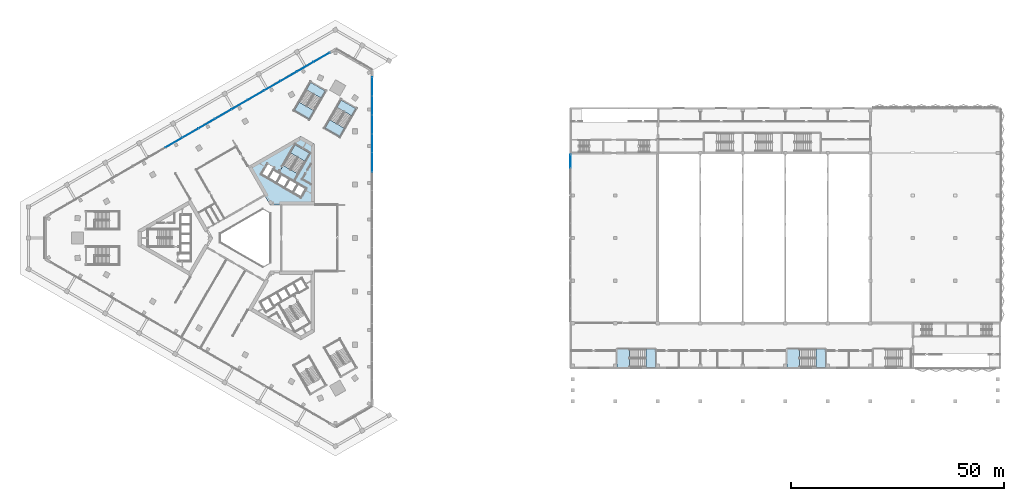
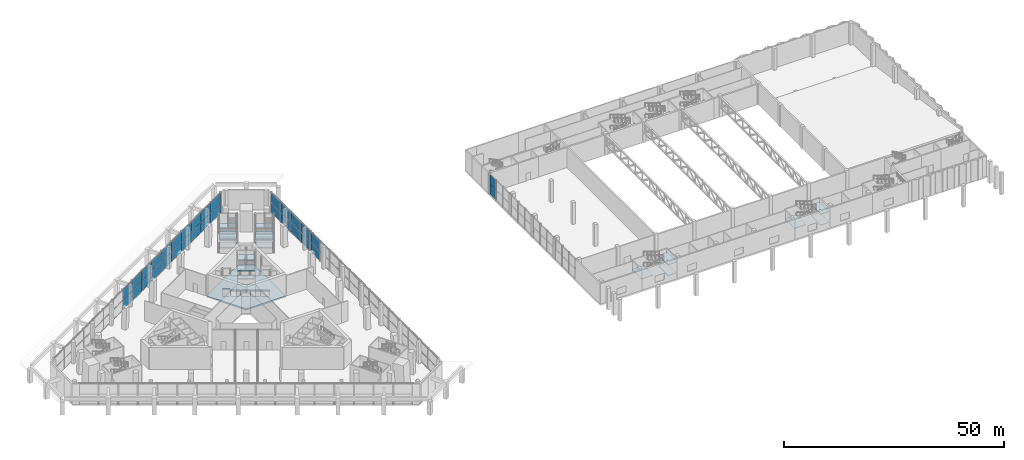
# One storey, part 24 of 51: 32 plates, 18 slabs, 8 elements without a shape of their own.
"""IFC4 building model written with IfcOpenShell, lengths in metres."""

import ifcopenshell
import ifcopenshell.guid

model = None  # the IFC model being written
_history = None  # IfcOwnerHistory: only IFC2X3 demands one
_inside = {}  # id of a spatial element -> (the spatial element, [elements in it])
_under = {}  # id of a project, library or spatial element -> (it, [spatial elements below it])
_declared = {}  # id of a project -> (the project, [libraries it declares])
_typed = {}  # id of a type object -> (the type object, [elements of that type])
_made_of = {}  # id of a material, layer set ... -> (it, [elements and type objects made of it])


def new_model(schema):
    """Start an empty IFC model of exactly this schema.

    Asked for "IFC4X3", IfcOpenShell would pick the latest addendum, in which some entities
    have other attributes; the version numbers below select the first issue.
    IFC2X3 requires an IfcOwnerHistory on every rooted entity: one is made here for all.
    """
    global model, _history
    if schema == "IFC4X3":
        model = ifcopenshell.file(schema_version=(4, 3, 0, 0))
    else:
        model = ifcopenshell.file(schema=schema)
    _inside.clear()
    _under.clear()
    _declared.clear()
    _typed.clear()
    _made_of.clear()
    _history = None
    if model.schema == "IFC2X3":
        org = make("IfcOrganization", Name="unknown")
        user = make(
            "IfcPersonAndOrganization",
            ThePerson=make("IfcPerson", FamilyName="unknown"),
            TheOrganization=org,
        )
        app = make(
            "IfcApplication",
            ApplicationDeveloper=org,
            Version="unknown",
            ApplicationFullName="unknown",
            ApplicationIdentifier="unknown",
        )
        _history = make(
            "IfcOwnerHistory",
            OwningUser=user,
            OwningApplication=app,
            ChangeAction="ADDED",
            CreationDate=0,
        )
    return model


def make(cls, **values):
    """One entity of the class cls with the attributes given. An attribute that is None is left unset."""
    return model.create_entity(
        cls, **{name: value for name, value in values.items() if value is not None}
    )


def rooted(cls, **values):
    """An entity with a GlobalId (a new one), such as an element, a storey or a relation."""
    return make(cls, GlobalId=ifcopenshell.guid.new(), OwnerHistory=_history, **values)


def si_unit(unit_type, name, prefix=None):
    """IfcSIUnit, for example si_unit("LENGTHUNIT", "METRE", prefix="MILLI")."""
    return make("IfcSIUnit", UnitType=unit_type, Prefix=prefix, Name=name)


def assignment(units):
    """IfcUnitAssignment: the units of a project."""
    return None if units is None else make("IfcUnitAssignment", Units=units)


def point(xyz):
    """IfcCartesianPoint."""
    return None if xyz is None else make("IfcCartesianPoint", Coordinates=xyz)


def direction(xyz):
    """IfcDirection."""
    return None if xyz is None else make("IfcDirection", DirectionRatios=xyz)


def frame(location, z_axis=None, x_axis=None):
    """IfcAxis2Placement3D, a coordinate frame: its origin and axes. An axis left out is left unset."""
    return make(
        "IfcAxis2Placement3D",
        Location=point(location),
        Axis=direction(z_axis),
        RefDirection=direction(x_axis),
    )


def frame_2d(location, x_axis=None):
    """IfcAxis2Placement2D, a coordinate frame in the plane: its origin and x axis."""
    return make(
        "IfcAxis2Placement2D", Location=point(location), RefDirection=direction(x_axis)
    )


def origin():
    """The frame at (0, 0, 0) with its axes left unset."""
    return frame((0.0, 0.0, 0.0))


def origin_2d():
    """The frame at (0, 0) in the plane with its x axis left unset."""
    return frame_2d((0.0, 0.0))


def place(relative_to, where):
    """IfcLocalPlacement: puts the frame where relative to a parent placement (None: the world)."""
    return make(
        "IfcLocalPlacement", PlacementRelTo=relative_to, RelativePlacement=where
    )


def context(
    kind, dimensions, precision=None, world=None, true_north=None, identifier=None
):
    """IfcGeometricRepresentationContext, for example the 3D "Model" context."""
    return make(
        "IfcGeometricRepresentationContext",
        ContextIdentifier=identifier,
        ContextType=kind,
        CoordinateSpaceDimension=dimensions,
        Precision=precision,
        WorldCoordinateSystem=world,
        TrueNorth=true_north,
    )


def subcontext(parent, identifier, kind, view, scale=None):
    """IfcGeometricRepresentationSubContext, for example "Body" below "Model"."""
    return make(
        "IfcGeometricRepresentationSubContext",
        ContextIdentifier=identifier,
        ContextType=kind,
        ParentContext=parent,
        TargetScale=scale,
        TargetView=view,
    )


def project(units=None, contexts=None):
    """IfcProject with its units and contexts."""
    return rooted(
        "IfcProject",
        Name="project",
        RepresentationContexts=contexts,
        UnitsInContext=assignment(units),
    )


def spatial(cls, under=None, at=None, **own):
    """A site, building, storey or space (cls), placed at a placement, below another one or the project."""
    s = rooted(cls, ObjectPlacement=at, **own)
    if under is not None:
        _under.setdefault(under.id(), (under, []))[1].append(s)
    return s


def polyline(points):
    """IfcPolyline through the points."""
    return make("IfcPolyline", Points=[point(p) for p in points])


def profile(cls, at=None, kind="AREA", **sizes):
    """A parametric profile (cls). Its sizes go by their IFC names, for example OverallWidth=200.0."""
    return make(cls, ProfileType=kind, Position=at, **sizes)


def rectangle(**sizes):
    """IfcRectangleProfileDef."""
    return profile("IfcRectangleProfileDef", **sizes)


def outline(outer, holes=None, kind="AREA"):
    """IfcArbitraryClosedProfileDef: a profile drawn as a closed curve; with holes, ...WithVoids."""
    if holes is None:
        return make("IfcArbitraryClosedProfileDef", ProfileType=kind, OuterCurve=outer)
    return make(
        "IfcArbitraryProfileDefWithVoids",
        ProfileType=kind,
        OuterCurve=outer,
        InnerCurves=holes,
    )


def extrude(swept, where, along, depth):
    """IfcExtrudedAreaSolid: the profile swept, set in the frame where, extruded along a direction by depth."""
    return make(
        "IfcExtrudedAreaSolid",
        SweptArea=swept,
        Position=where,
        ExtrudedDirection=direction(along),
        Depth=depth,
    )


def shape(context_of_items, identifier, shape_type, items):
    """IfcShapeRepresentation: the items that make up one representation, for example the "Body"."""
    return make(
        "IfcShapeRepresentation",
        ContextOfItems=context_of_items,
        RepresentationIdentifier=identifier,
        RepresentationType=shape_type,
        Items=items,
    )


def material(Name=None, Category=None):
    """IfcMaterial."""
    return make("IfcMaterial", Name=Name, Category=Category)


def layer(
    of_material, thickness, ventilated=None, Name=None, Category=None, Priority=None
):
    """IfcMaterialLayer: one layer of a wall or slab, of a material (None: an air gap)."""
    return make(
        "IfcMaterialLayer",
        Material=of_material,
        LayerThickness=thickness,
        IsVentilated=ventilated,
        Name=Name,
        Category=Category,
        Priority=Priority,
    )


def layer_set(layers, Name=None):
    """IfcMaterialLayerSet."""
    return make("IfcMaterialLayerSet", MaterialLayers=layers, LayerSetName=Name)


def made_of(thing, what):
    """Note that an element or type object is made of a material, layer set ...; save() writes the relation."""
    if what is not None:
        _made_of.setdefault(what.id(), (what, []))[1].append(thing)
    return thing


def type_object(cls, material=None, **own):
    """A type object (cls), such as IfcWallType, which elements share."""
    return made_of(rooted(cls, **own), material)


def element(
    cls,
    number,
    at=None,
    inside=None,
    cuts=None,
    type_object=None,
    material=None,
    context=None,
    identifier="Body",
    shape_type=None,
    held_by="IfcProductDefinitionShape",
    body=None,
    shapes=None,
    **own,
):
    """One element of the class cls, such as IfcWall. Its Tag is "e" and its number.

    at: its placement. inside: the storey or other place that contains it. cuts: it is an
    opening in that element (IfcRelVoidsElement). A single representation is given by context,
    identifier, shape_type and body (its items); several are given by shapes. held_by: the class
    of the entity that holds the representations. save() writes the other relations.
    """
    e = rooted(cls, Tag="e%d" % number, ObjectPlacement=at, **own)
    if body is not None:
        shapes = [shape(context, identifier, shape_type, body)]
    if shapes is not None:
        e.Representation = make(held_by, Representations=shapes)
    if inside is not None:
        _inside.setdefault(inside.id(), (inside, []))[1].append(e)
    if cuts is not None:
        rooted(
            "IfcRelVoidsElement", RelatingBuildingElement=cuts, RelatedOpeningElement=e
        )
    if type_object is not None:
        _typed.setdefault(type_object.id(), (type_object, []))[1].append(e)
    return made_of(e, material)


def aggregate(whole, parts):
    """IfcRelAggregates: a whole, such as a stair, and the parts it consists of."""
    return rooted("IfcRelAggregates", RelatingObject=whole, RelatedObjects=parts)


def save(model, path):
    """Write the relations noted so far, then the file.

    IfcRelAggregates (storeys below a building ...), IfcRelContainedInSpatialStructure (elements
    in a storey), IfcRelDefinesByType, IfcRelAssociatesMaterial and IfcRelDeclares: one each for
    every whole, place, type object, material and project.
    """
    for whole, parts in _under.values():
        aggregate(whole, parts)
    for where, things in _inside.values():
        rooted(
            "IfcRelContainedInSpatialStructure",
            RelatedElements=things,
            RelatingStructure=where,
        )
    for kind, things in _typed.values():
        rooted("IfcRelDefinesByType", RelatedObjects=things, RelatingType=kind)
    for what, things in _made_of.values():
        rooted("IfcRelAssociatesMaterial", RelatedObjects=things, RelatingMaterial=what)
    for by, libraries in _declared.values():
        rooted("IfcRelDeclares", RelatingContext=by, RelatedDefinitions=libraries)
    model.write(path)


model = new_model("IFC4")

# Units and contexts
model_context = context("Model", 3, precision=1e-05, world=origin(), true_north=direction((0.0, 1.0)))
body_context = subcontext(model_context, "Body", "Model", "MODEL_VIEW")
ifc_project = project(units=[si_unit("LENGTHUNIT", "METRE"), si_unit("AREAUNIT", "SQUARE_METRE"), si_unit("VOLUMEUNIT", "CUBIC_METRE"), si_unit("PLANEANGLEUNIT", "RADIAN"), si_unit("MASSUNIT", "GRAM", prefix="KILO")], contexts=[model_context])

# Site, building, storey
site_placement = place(None, origin())
site = spatial("IfcSite", under=ifc_project, at=site_placement, CompositionType="ELEMENT")
building_placement = place(site_placement, origin())
building = spatial("IfcBuilding", under=site, at=building_placement, Name="Jabali Bay Hotel Tower and Convention Centre", CompositionType="ELEMENT")
storey_placement = place(building_placement, frame((0.0, 0.0, 9.0)))
storey = spatial("IfcBuildingStorey", under=building, at=storey_placement, Name="L01", CompositionType="ELEMENT", Elevation=9.0)

# Curtain wall, plates
ifc_material_1 = material(Name="Aluminium 6063-T5 and glass", Category="aluminium")
curtain_wall_type_1 = type_object("IfcCurtainWallType", Name="CC CW4 Unitised Curtain Wall", PredefinedType="NOTDEFINED", material=ifc_material_1)
curtain_wall_1_placement = place(storey_placement, origin())
curtain_wall_1 = element("IfcCurtainWall", 1, at=curtain_wall_1_placement, inside=storey, type_object=curtain_wall_type_1, Name="CC CW4 run 4", PredefinedType="NOTDEFINED")
ifc_material_2 = material(Name="Glass IGU 28", Category="glass")
ifc_layer_1 = layer(ifc_material_2, 0.028076171875)
ifc_layer_set_1 = layer_set([ifc_layer_1], Name="Glass IGU 28")
plate_type_1 = type_object("IfcPlateType", Name="CC Curtain Wall Glass Panel 28", PredefinedType="CURTAIN_PANEL", material=ifc_layer_set_1)
plate_1_placement = place(storey_placement, frame((150.14990234375, 98.0517578125, 0.119873046875), z_axis=(0.0, 0.0, 1.0), x_axis=(0.0, 1.0, 0.0)))
plate_1 = element("IfcPlate", 2, at=plate_1_placement, type_object=plate_type_1, Name="CC-CW4 panel 3.1", PredefinedType="CURTAIN_PANEL", context=body_context, shape_type="SweptSolid", body=[
    extrude(rectangle(XDim=2.9765625, YDim=0.028076171875, at=origin_2d()), origin(), (0.0, 0.0, 1.0), 2.6201171875),
])
plate_2_placement = place(storey_placement, frame((150.14990234375, 98.0517578125, 2.85986328125), z_axis=(0.0, 0.0, 1.0), x_axis=(0.0, 1.0, 0.0)))
plate_2 = element("IfcPlate", 3, at=plate_2_placement, type_object=plate_type_1, Name="CC-CW4 panel 3.2", PredefinedType="CURTAIN_PANEL", context=body_context, shape_type="SweptSolid", body=[
    extrude(rectangle(XDim=2.9765625, YDim=0.028076171875, at=origin_2d()), origin(), (0.0, 0.0, 1.0), 2.610107421875),
])
aggregate(curtain_wall_1, [plate_1, plate_2])

# Stair, slabs
ifc_material_3 = material(Name="Concrete C40", Category="concrete")
stair_type_1 = type_object("IfcStairType", Name="CC Dogleg Stair 1350", PredefinedType="HALF_TURN_STAIR", material=ifc_material_3)
stair_1_placement = place(storey_placement, origin())
stair_1 = element("IfcStair", 4, at=stair_1_placement, inside=storey, type_object=stair_type_1, Name="L01 South Exit Stair 1", PredefinedType="HALF_TURN_STAIR")
ifc_layer_2 = layer(ifc_material_3, 0.199951171875)
ifc_layer_set_2 = layer_set([ifc_layer_2], Name="Concrete C40")
slab_type_1 = type_object("IfcSlabType", Name="CC Stair Landing 200", PredefinedType="LANDING", material=ifc_layer_set_2)
slab_1_placement = place(storey_placement, frame((0.0, 0.0, 1.300048828125)))
slab_1 = element("IfcSlab", 5, at=slab_1_placement, type_object=slab_type_1, Name="CC-STS1 landing 1", PredefinedType="LANDING", context=body_context, shape_type="SweptSolid", body=[
    extrude(outline(polyline([(167.95703125, 49.550048828125), (170.14990234375, 49.550048828125), (170.14990234375, 53.949951171875), (167.95703125, 53.949951171875), (167.95703125, 49.550048828125)])), origin(), (0.0, 0.0, 1.0), 0.199951171875),
])
slab_2_placement = place(storey_placement, frame((0.0, 0.0, 2.800048828125)))
slab_2 = element("IfcSlab", 6, at=slab_2_placement, type_object=slab_type_1, Name="CC-STS1 landing 2", PredefinedType="LANDING", context=body_context, shape_type="SweptSolid", body=[
    extrude(outline(polyline([(161.050048828125, 49.550048828125), (164.0029296875, 49.550048828125), (164.0029296875, 53.949951171875), (161.050048828125, 53.949951171875), (161.050048828125, 49.550048828125)])), origin(), (0.0, 0.0, 1.0), 0.199951171875),
])
slab_3_placement = place(storey_placement, frame((0.0, 0.0, 4.300048828125)))
slab_3 = element("IfcSlab", 7, at=slab_3_placement, type_object=slab_type_1, Name="CC-STS1 landing 3", PredefinedType="LANDING", context=body_context, shape_type="SweptSolid", body=[
    extrude(outline(polyline([(167.95703125, 49.550048828125), (170.14990234375, 49.550048828125), (170.14990234375, 53.949951171875), (167.95703125, 53.949951171875), (167.95703125, 49.550048828125)])), origin(), (0.0, 0.0, 1.0), 0.199951171875),
])
aggregate(stair_1, [slab_1, slab_2, slab_3])

stair_2_placement = place(storey_placement, origin())
stair_2 = element("IfcStair", 8, at=stair_2_placement, inside=storey, type_object=stair_type_1, Name="L01 South Exit Stair 2", PredefinedType="HALF_TURN_STAIR")
slab_4_placement = place(storey_placement, frame((0.0, 0.0, 1.300048828125)))
slab_4 = element("IfcSlab", 9, at=slab_4_placement, type_object=slab_type_1, Name="CC-STS2 landing 1", PredefinedType="LANDING", context=body_context, shape_type="SweptSolid", body=[
    extrude(outline(polyline([(207.95703125, 49.550048828125), (210.14990234375, 49.550048828125), (210.14990234375, 53.949951171875), (207.95703125, 53.949951171875), (207.95703125, 49.550048828125)])), origin(), (0.0, 0.0, 1.0), 0.199951171875),
])
slab_5_placement = place(storey_placement, frame((0.0, 0.0, 2.800048828125)))
slab_5 = element("IfcSlab", 10, at=slab_5_placement, type_object=slab_type_1, Name="CC-STS2 landing 2", PredefinedType="LANDING", context=body_context, shape_type="SweptSolid", body=[
    extrude(outline(polyline([(201.050048828125, 49.550048828125), (204.0029296875, 49.550048828125), (204.0029296875, 53.949951171875), (201.050048828125, 53.949951171875), (201.050048828125, 49.550048828125)])), origin(), (0.0, 0.0, 1.0), 0.199951171875),
])
slab_6_placement = place(storey_placement, frame((0.0, 0.0, 4.300048828125)))
slab_6 = element("IfcSlab", 11, at=slab_6_placement, type_object=slab_type_1, Name="CC-STS2 landing 3", PredefinedType="LANDING", context=body_context, shape_type="SweptSolid", body=[
    extrude(outline(polyline([(207.95703125, 49.550048828125), (210.14990234375, 49.550048828125), (210.14990234375, 53.949951171875), (207.95703125, 53.949951171875), (207.95703125, 49.550048828125)])), origin(), (0.0, 0.0, 1.0), 0.199951171875),
])
aggregate(stair_2, [slab_4, slab_5, slab_6])

# Curtain wall, plates
ifc_material_4 = material(Name="Aluminium and glass", Category="aluminium")
ifc_layer_3 = layer(ifc_material_4, 0.179931640625)
ifc_layer_set_3 = layer_set([ifc_layer_3], Name="Aluminium and glass")
curtain_wall_type_2 = type_object("IfcCurtainWallType", Name="CW1 curtain wall", PredefinedType="NOTDEFINED", material=ifc_layer_set_3)
curtain_wall_2_placement = place(storey_placement, origin())
curtain_wall_2 = element("IfcCurtainWall", 12, at=curtain_wall_2_placement, inside=storey, type_object=curtain_wall_type_2, Name="CW1 curtain wall east face L01", PredefinedType="NOTDEFINED")
ifc_material_5 = material(Name="Glass", Category="glass")
ifc_layer_4 = layer(ifc_material_5, 0.028076171875)
ifc_layer_set_4 = layer_set([ifc_layer_4], Name="Glass")
plate_type_2 = type_object("IfcPlateType", Name="CW1 glass panel 28", PredefinedType="CURTAIN_PANEL", material=ifc_layer_set_4)
plate_3_placement = place(storey_placement, frame((103.5, 115.62109375, 0.06005859375), z_axis=(0.0, 0.0, 1.0), x_axis=(0.0, -1.0, 0.0)))
plate_3 = element("IfcPlate", 13, at=plate_3_placement, type_object=plate_type_2, Name="CW1 panel 1.1", PredefinedType="CURTAIN_PANEL", context=body_context, shape_type="SweptSolid", body=[
    extrude(rectangle(XDim=4.364501953125, YDim=0.028076171875, at=origin_2d()), origin(), (0.0, 0.0, 1.0), 2.7099609375),
])
plate_4_placement = place(storey_placement, frame((103.5, 115.62109375, 2.830078125), z_axis=(0.0, 0.0, 1.0), x_axis=(0.0, -1.0, 0.0)))
plate_4 = element("IfcPlate", 14, at=plate_4_placement, type_object=plate_type_2, Name="CW1 panel 1.2", PredefinedType="CURTAIN_PANEL", context=body_context, shape_type="SweptSolid", body=[
    extrude(rectangle(XDim=4.364501953125, YDim=0.028076171875, at=origin_2d()), origin(), (0.0, 0.0, 1.0), 2.7099609375),
])
plate_5_placement = place(storey_placement, frame((103.5, 111.181640625, 0.06005859375), z_axis=(0.0, 0.0, 1.0), x_axis=(0.0, -1.0, 0.0)))
plate_5 = element("IfcPlate", 15, at=plate_5_placement, type_object=plate_type_2, Name="CW1 panel 2.1", PredefinedType="CURTAIN_PANEL", context=body_context, shape_type="SweptSolid", body=[
    extrude(rectangle(XDim=4.39453125, YDim=0.028076171875, at=origin_2d()), origin(), (0.0, 0.0, 1.0), 2.7099609375),
])
plate_6_placement = place(storey_placement, frame((103.5, 111.181640625, 2.830078125), z_axis=(0.0, 0.0, 1.0), x_axis=(0.0, -1.0, 0.0)))
plate_6 = element("IfcPlate", 16, at=plate_6_placement, type_object=plate_type_2, Name="CW1 panel 2.2", PredefinedType="CURTAIN_PANEL", context=body_context, shape_type="SweptSolid", body=[
    extrude(rectangle(XDim=4.39453125, YDim=0.028076171875, at=origin_2d()), origin(), (0.0, 0.0, 1.0), 2.7099609375),
])
plate_7_placement = place(storey_placement, frame((103.5, 106.72705078125, 0.06005859375), z_axis=(0.0, 0.0, 1.0), x_axis=(0.0, -1.0, 0.0)))
plate_7 = element("IfcPlate", 17, at=plate_7_placement, type_object=plate_type_2, Name="CW1 panel 3.1", PredefinedType="CURTAIN_PANEL", context=body_context, shape_type="SweptSolid", body=[
    extrude(rectangle(XDim=4.39453125, YDim=0.028076171875, at=origin_2d()), origin(), (0.0, 0.0, 1.0), 2.7099609375),
])
plate_8_placement = place(storey_placement, frame((103.5, 106.72705078125, 2.830078125), z_axis=(0.0, 0.0, 1.0), x_axis=(0.0, -1.0, 0.0)))
plate_8 = element("IfcPlate", 18, at=plate_8_placement, type_object=plate_type_2, Name="CW1 panel 3.2", PredefinedType="CURTAIN_PANEL", context=body_context, shape_type="SweptSolid", body=[
    extrude(rectangle(XDim=4.39453125, YDim=0.028076171875, at=origin_2d()), origin(), (0.0, 0.0, 1.0), 2.7099609375),
])
plate_9_placement = place(storey_placement, frame((103.5, 102.272705078125, 0.06005859375), z_axis=(0.0, 0.0, 1.0), x_axis=(0.0, -1.0, 0.0)))
plate_9 = element("IfcPlate", 19, at=plate_9_placement, type_object=plate_type_2, Name="CW1 panel 4.1", PredefinedType="CURTAIN_PANEL", context=body_context, shape_type="SweptSolid", body=[
    extrude(rectangle(XDim=4.39453125, YDim=0.028076171875, at=origin_2d()), origin(), (0.0, 0.0, 1.0), 2.7099609375),
])
plate_10_placement = place(storey_placement, frame((103.5, 102.272705078125, 2.830078125), z_axis=(0.0, 0.0, 1.0), x_axis=(0.0, -1.0, 0.0)))
plate_10 = element("IfcPlate", 20, at=plate_10_placement, type_object=plate_type_2, Name="CW1 panel 4.2", PredefinedType="CURTAIN_PANEL", context=body_context, shape_type="SweptSolid", body=[
    extrude(rectangle(XDim=4.39453125, YDim=0.028076171875, at=origin_2d()), origin(), (0.0, 0.0, 1.0), 2.7099609375),
])
plate_11_placement = place(storey_placement, frame((103.5, 97.818115234375, 0.06005859375), z_axis=(0.0, 0.0, 1.0), x_axis=(0.0, -1.0, 0.0)))
plate_11 = element("IfcPlate", 21, at=plate_11_placement, type_object=plate_type_2, Name="CW1 panel 5.1", PredefinedType="CURTAIN_PANEL", context=body_context, shape_type="SweptSolid", body=[
    extrude(rectangle(XDim=4.39453125, YDim=0.028076171875, at=origin_2d()), origin(), (0.0, 0.0, 1.0), 2.7099609375),
])
plate_12_placement = place(storey_placement, frame((103.5, 97.818115234375, 2.830078125), z_axis=(0.0, 0.0, 1.0), x_axis=(0.0, -1.0, 0.0)))
plate_12 = element("IfcPlate", 22, at=plate_12_placement, type_object=plate_type_2, Name="CW1 panel 5.2", PredefinedType="CURTAIN_PANEL", context=body_context, shape_type="SweptSolid", body=[
    extrude(rectangle(XDim=4.39453125, YDim=0.028076171875, at=origin_2d()), origin(), (0.0, 0.0, 1.0), 2.7099609375),
])
aggregate(curtain_wall_2, [plate_3, plate_4, plate_5, plate_6, plate_7, plate_8, plate_9, plate_10, plate_11, plate_12])

curtain_wall_3_placement = place(storey_placement, origin())
curtain_wall_3 = element("IfcCurtainWall", 23, at=curtain_wall_3_placement, inside=storey, type_object=curtain_wall_type_2, Name="CW1 curtain wall north-west face L01", PredefinedType="NOTDEFINED")
plate_13_placement = place(storey_placement, frame((56.892333984375, 102.454345703125, 0.06005859375), z_axis=(0.0, 0.0, 1.0), x_axis=(0.866025404107, 0.499999999441, 0.0)))
plate_13 = element("IfcPlate", 24, at=plate_13_placement, type_object=plate_type_2, Name="CW1 panel 8.1", PredefinedType="CURTAIN_PANEL", context=body_context, shape_type="SweptSolid", body=[
    extrude(rectangle(XDim=4.39453125, YDim=0.028076171875, at=origin_2d()), origin(), (0.0, 0.0, 1.0), 2.7099609375),
])
plate_14_placement = place(storey_placement, frame((56.892333984375, 102.454345703125, 2.830078125), z_axis=(0.0, 0.0, 1.0), x_axis=(0.866025404107, 0.499999999441, 0.0)))
plate_14 = element("IfcPlate", 25, at=plate_14_placement, type_object=plate_type_2, Name="CW1 panel 8.2", PredefinedType="CURTAIN_PANEL", context=body_context, shape_type="SweptSolid", body=[
    extrude(rectangle(XDim=4.39453125, YDim=0.028076171875, at=origin_2d()), origin(), (0.0, 0.0, 1.0), 2.7099609375),
])
plate_15_placement = place(storey_placement, frame((60.75, 104.681640625, 0.06005859375), z_axis=(0.0, 0.0, 1.0), x_axis=(0.866025404107, 0.499999999441, 0.0)))
plate_15 = element("IfcPlate", 26, at=plate_15_placement, type_object=plate_type_2, Name="CW1 panel 9.1", PredefinedType="CURTAIN_PANEL", context=body_context, shape_type="SweptSolid", body=[
    extrude(rectangle(XDim=4.39453125, YDim=0.028076171875, at=origin_2d()), origin(), (0.0, 0.0, 1.0), 2.7099609375),
])
plate_16_placement = place(storey_placement, frame((60.75, 104.681640625, 2.830078125), z_axis=(0.0, 0.0, 1.0), x_axis=(0.866025404107, 0.499999999441, 0.0)))
plate_16 = element("IfcPlate", 27, at=plate_16_placement, type_object=plate_type_2, Name="CW1 panel 9.2", PredefinedType="CURTAIN_PANEL", context=body_context, shape_type="SweptSolid", body=[
    extrude(rectangle(XDim=4.39453125, YDim=0.028076171875, at=origin_2d()), origin(), (0.0, 0.0, 1.0), 2.7099609375),
])
plate_17_placement = place(storey_placement, frame((64.607666015625, 106.908935546875, 0.06005859375), z_axis=(0.0, 0.0, 1.0), x_axis=(0.866025404107, 0.499999999441, 0.0)))
plate_17 = element("IfcPlate", 28, at=plate_17_placement, type_object=plate_type_2, Name="CW1 panel 10.1", PredefinedType="CURTAIN_PANEL", context=body_context, shape_type="SweptSolid", body=[
    extrude(rectangle(XDim=4.39453125, YDim=0.028076171875, at=origin_2d()), origin(), (0.0, 0.0, 1.0), 2.7099609375),
])
plate_18_placement = place(storey_placement, frame((64.607666015625, 106.908935546875, 2.830078125), z_axis=(0.0, 0.0, 1.0), x_axis=(0.866025404107, 0.499999999441, 0.0)))
plate_18 = element("IfcPlate", 29, at=plate_18_placement, type_object=plate_type_2, Name="CW1 panel 10.2", PredefinedType="CURTAIN_PANEL", context=body_context, shape_type="SweptSolid", body=[
    extrude(rectangle(XDim=4.39453125, YDim=0.028076171875, at=origin_2d()), origin(), (0.0, 0.0, 1.0), 2.7099609375),
])
plate_19_placement = place(storey_placement, frame((68.465576171875, 109.13623046875, 0.06005859375), z_axis=(0.0, 0.0, 1.0), x_axis=(0.866025404107, 0.499999999441, 0.0)))
plate_19 = element("IfcPlate", 30, at=plate_19_placement, type_object=plate_type_2, Name="CW1 panel 11.1", PredefinedType="CURTAIN_PANEL", context=body_context, shape_type="SweptSolid", body=[
    extrude(rectangle(XDim=4.39453125, YDim=0.028076171875, at=origin_2d()), origin(), (0.0, 0.0, 1.0), 2.7099609375),
])
plate_20_placement = place(storey_placement, frame((68.465576171875, 109.13623046875, 2.830078125), z_axis=(0.0, 0.0, 1.0), x_axis=(0.866025404107, 0.499999999441, 0.0)))
plate_20 = element("IfcPlate", 31, at=plate_20_placement, type_object=plate_type_2, Name="CW1 panel 11.2", PredefinedType="CURTAIN_PANEL", context=body_context, shape_type="SweptSolid", body=[
    extrude(rectangle(XDim=4.39453125, YDim=0.028076171875, at=origin_2d()), origin(), (0.0, 0.0, 1.0), 2.7099609375),
])
plate_21_placement = place(storey_placement, frame((72.3232421875, 111.363525390625, 0.06005859375), z_axis=(0.0, 0.0, 1.0), x_axis=(0.866025404107, 0.499999999441, 0.0)))
plate_21 = element("IfcPlate", 32, at=plate_21_placement, type_object=plate_type_2, Name="CW1 panel 12.1", PredefinedType="CURTAIN_PANEL", context=body_context, shape_type="SweptSolid", body=[
    extrude(rectangle(XDim=4.39453125, YDim=0.028076171875, at=origin_2d()), origin(), (0.0, 0.0, 1.0), 2.7099609375),
])
plate_22_placement = place(storey_placement, frame((72.3232421875, 111.363525390625, 2.830078125), z_axis=(0.0, 0.0, 1.0), x_axis=(0.866025404107, 0.499999999441, 0.0)))
plate_22 = element("IfcPlate", 33, at=plate_22_placement, type_object=plate_type_2, Name="CW1 panel 12.2", PredefinedType="CURTAIN_PANEL", context=body_context, shape_type="SweptSolid", body=[
    extrude(rectangle(XDim=4.39453125, YDim=0.028076171875, at=origin_2d()), origin(), (0.0, 0.0, 1.0), 2.7099609375),
])
plate_23_placement = place(storey_placement, frame((76.180908203125, 113.5908203125, 0.06005859375), z_axis=(0.0, 0.0, 1.0), x_axis=(0.866025404107, 0.499999999441, 0.0)))
plate_23 = element("IfcPlate", 34, at=plate_23_placement, type_object=plate_type_2, Name="CW1 panel 13.1", PredefinedType="CURTAIN_PANEL", context=body_context, shape_type="SweptSolid", body=[
    extrude(rectangle(XDim=4.39453125, YDim=0.028076171875, at=origin_2d()), origin(), (0.0, 0.0, 1.0), 2.7099609375),
])
plate_24_placement = place(storey_placement, frame((76.180908203125, 113.5908203125, 2.830078125), z_axis=(0.0, 0.0, 1.0), x_axis=(0.866025404107, 0.499999999441, 0.0)))
plate_24 = element("IfcPlate", 35, at=plate_24_placement, type_object=plate_type_2, Name="CW1 panel 13.2", PredefinedType="CURTAIN_PANEL", context=body_context, shape_type="SweptSolid", body=[
    extrude(rectangle(XDim=4.39453125, YDim=0.028076171875, at=origin_2d()), origin(), (0.0, 0.0, 1.0), 2.7099609375),
])
plate_25_placement = place(storey_placement, frame((80.03857421875, 115.818115234375, 0.06005859375), z_axis=(0.0, 0.0, 1.0), x_axis=(0.866025404107, 0.499999999441, 0.0)))
plate_25 = element("IfcPlate", 36, at=plate_25_placement, type_object=plate_type_2, Name="CW1 panel 14.1", PredefinedType="CURTAIN_PANEL", context=body_context, shape_type="SweptSolid", body=[
    extrude(rectangle(XDim=4.39453125, YDim=0.028076171875, at=origin_2d()), origin(), (0.0, 0.0, 1.0), 2.7099609375),
])
plate_26_placement = place(storey_placement, frame((80.03857421875, 115.818115234375, 2.830078125), z_axis=(0.0, 0.0, 1.0), x_axis=(0.866025404107, 0.499999999441, 0.0)))
plate_26 = element("IfcPlate", 37, at=plate_26_placement, type_object=plate_type_2, Name="CW1 panel 14.2", PredefinedType="CURTAIN_PANEL", context=body_context, shape_type="SweptSolid", body=[
    extrude(rectangle(XDim=4.39453125, YDim=0.028076171875, at=origin_2d()), origin(), (0.0, 0.0, 1.0), 2.7099609375),
])
plate_27_placement = place(storey_placement, frame((83.896484375, 118.04541015625, 0.06005859375), z_axis=(0.0, 0.0, 1.0), x_axis=(0.866025404107, 0.499999999441, 0.0)))
plate_27 = element("IfcPlate", 38, at=plate_27_placement, type_object=plate_type_2, Name="CW1 panel 15.1", PredefinedType="CURTAIN_PANEL", context=body_context, shape_type="SweptSolid", body=[
    extrude(rectangle(XDim=4.39453125, YDim=0.028076171875, at=origin_2d()), origin(), (0.0, 0.0, 1.0), 2.7099609375),
])
plate_28_placement = place(storey_placement, frame((83.896484375, 118.04541015625, 2.830078125), z_axis=(0.0, 0.0, 1.0), x_axis=(0.866025404107, 0.499999999441, 0.0)))
plate_28 = element("IfcPlate", 39, at=plate_28_placement, type_object=plate_type_2, Name="CW1 panel 15.2", PredefinedType="CURTAIN_PANEL", context=body_context, shape_type="SweptSolid", body=[
    extrude(rectangle(XDim=4.39453125, YDim=0.028076171875, at=origin_2d()), origin(), (0.0, 0.0, 1.0), 2.7099609375),
])
plate_29_placement = place(storey_placement, frame((87.754150390625, 120.2724609375, 0.06005859375), z_axis=(0.0, 0.0, 1.0), x_axis=(0.866025404107, 0.499999999441, 0.0)))
plate_29 = element("IfcPlate", 40, at=plate_29_placement, type_object=plate_type_2, Name="CW1 panel 16.1", PredefinedType="CURTAIN_PANEL", context=body_context, shape_type="SweptSolid", body=[
    extrude(rectangle(XDim=4.39453125, YDim=0.028076171875, at=origin_2d()), origin(), (0.0, 0.0, 1.0), 2.7099609375),
])
plate_30_placement = place(storey_placement, frame((87.754150390625, 120.2724609375, 2.830078125), z_axis=(0.0, 0.0, 1.0), x_axis=(0.866025404107, 0.499999999441, 0.0)))
plate_30 = element("IfcPlate", 41, at=plate_30_placement, type_object=plate_type_2, Name="CW1 panel 16.2", PredefinedType="CURTAIN_PANEL", context=body_context, shape_type="SweptSolid", body=[
    extrude(rectangle(XDim=4.39453125, YDim=0.028076171875, at=origin_2d()), origin(), (0.0, 0.0, 1.0), 2.7099609375),
])
plate_31_placement = place(storey_placement, frame((91.598876953125, 122.492431640625, 0.06005859375), z_axis=(0.0, 0.0, 1.0), x_axis=(0.866025404107, 0.499999999441, 0.0)))
plate_31 = element("IfcPlate", 42, at=plate_31_placement, type_object=plate_type_2, Name="CW1 panel 17.1", PredefinedType="CURTAIN_PANEL", context=body_context, shape_type="SweptSolid", body=[
    extrude(rectangle(XDim=4.364501953125, YDim=0.028076171875, at=origin_2d()), origin(), (0.0, 0.0, 1.0), 2.7099609375),
])
plate_32_placement = place(storey_placement, frame((91.598876953125, 122.492431640625, 2.830078125), z_axis=(0.0, 0.0, 1.0), x_axis=(0.866025404107, 0.499999999441, 0.0)))
plate_32 = element("IfcPlate", 43, at=plate_32_placement, type_object=plate_type_2, Name="CW1 panel 17.2", PredefinedType="CURTAIN_PANEL", context=body_context, shape_type="SweptSolid", body=[
    extrude(rectangle(XDim=4.364501953125, YDim=0.028076171875, at=origin_2d()), origin(), (0.0, 0.0, 1.0), 2.7099609375),
])
aggregate(curtain_wall_3, [plate_13, plate_14, plate_15, plate_16, plate_17, plate_18, plate_19, plate_20, plate_21, plate_22, plate_23, plate_24, plate_25, plate_26, plate_27, plate_28, plate_29, plate_30, plate_31, plate_32])

# Slabs
ifc_layer_5 = layer(ifc_material_3, 0.39990234375)
ifc_layer_set_5 = layer_set([ifc_layer_5], Name="Concrete C40")
slab_type_2 = type_object("IfcSlabType", Name="Core floor slab 400", PredefinedType="FLOOR", material=ifc_layer_set_5)
slab_7_placement = place(storey_placement, frame((0.0, 0.0, -0.39990234375)))
element("IfcSlab", 44, at=slab_7_placement, inside=storey, type_object=slab_type_2, Name="Core floor slab 2 L01", PredefinedType="FLOOR", context=body_context, shape_type="SweptSolid", body=[
    extrude(outline(polyline([(79.5, 87.794189453125), (89.8798828125, 87.794189453125), (89.8798828125, 102.127685546875), (86.72314453125, 103.9501953125), (74.31005859375, 96.78369140625), (79.5, 87.794189453125)]), holes=[polyline([(84.957763671875, 90.6474609375), (86.733154296875, 89.62255859375), (87.873291015625, 91.59716796875), (86.097900390625, 92.6220703125), (84.957763671875, 90.6474609375)]), polyline([(84.1494140625, 93.7470703125), (83.00927734375, 91.7724609375), (84.78466796875, 90.74755859375), (85.924560546875, 92.72216796875), (84.1494140625, 93.7470703125)]), polyline([(82.20068359375, 94.8720703125), (81.060791015625, 92.8974609375), (82.836181640625, 91.87255859375), (83.97607421875, 93.84716796875), (82.20068359375, 94.8720703125)]), polyline([(79.1123046875, 94.0224609375), (80.887451171875, 92.99755859375), (82.027587890625, 94.97216796875), (80.252197265625, 95.9970703125), (79.1123046875, 94.0224609375)]), polyline([(78.891845703125, 97.440673828125), (77.466796875, 94.97265625), (78.93896484375, 94.12255859375), (80.364013671875, 96.5908203125), (78.891845703125, 97.440673828125)]), polyline([(82.584716796875, 97.0869140625), (86.00537109375, 95.11181640625), (88.80029296875, 99.952880859375), (85.379638671875, 101.927978515625), (82.584716796875, 97.0869140625)])]), origin(), (0.0, 0.0, 1.0), 0.39990234375),
])
slab_8_placement = place(storey_placement, frame((0.0, 0.0, -0.39990234375)))
element("IfcSlab", 45, at=slab_8_placement, inside=storey, type_object=slab_type_2, Name="Podium stair landing slab 3 L01", PredefinedType="FLOOR", context=body_context, shape_type="SweptSolid", body=[
    extrude(outline(polyline([(89.02392578125, 116.590087890625), (88.04736328125, 114.89892578125), (91.511474609375, 112.89892578125), (92.488037109375, 114.590087890625), (89.02392578125, 116.590087890625)])), origin(), (0.0, 0.0, 1.0), 0.39990234375),
])
slab_9_placement = place(storey_placement, frame((0.0, 0.0, -0.39990234375)))
element("IfcSlab", 46, at=slab_9_placement, inside=storey, type_object=slab_type_2, Name="Podium stair landing slab 4 L01", PredefinedType="FLOOR", context=body_context, shape_type="SweptSolid", body=[
    extrude(outline(polyline([(96.2119140625, 112.440185546875), (95.2353515625, 110.748779296875), (98.699462890625, 108.748779296875), (99.676025390625, 110.440185546875), (96.2119140625, 112.440185546875)])), origin(), (0.0, 0.0, 1.0), 0.39990234375),
])

# Stair, slabs
stair_type_2 = type_object("IfcStairType", Name="Exit stair 1900", PredefinedType="HALF_TURN_STAIR", material=ifc_material_3)
stair_3_placement = place(storey_placement, origin())
stair_3 = element("IfcStair", 47, at=stair_3_placement, inside=storey, type_object=stair_type_2, Name="L01 Exit Stair 2", PredefinedType="HALF_TURN_STAIR")
ifc_layer_6 = layer(ifc_material_3, 0.199951171875)
ifc_layer_set_6 = layer_set([ifc_layer_6], Name="Concrete C40")
slab_type_3 = type_object("IfcSlabType", Name="Stair landing 200", PredefinedType="LANDING", material=ifc_layer_set_6)
slab_10_placement = place(storey_placement, frame((0.0, 0.0, 1.300048828125)))
slab_10 = element("IfcSlab", 48, at=slab_10_placement, type_object=slab_type_3, Name="ST2 landing 1", PredefinedType="LANDING", context=body_context, shape_type="SweptSolid", body=[
    extrude(outline(polyline([(87.703857421875, 98.0537109375), (88.80029296875, 99.952880859375), (85.379638671875, 101.927978515625), (84.283203125, 100.02880859375), (87.703857421875, 98.0537109375)])), origin(), (0.0, 0.0, 1.0), 0.199951171875),
])
slab_11_placement = place(storey_placement, frame((0.0, 0.0, 2.800048828125)))
slab_11 = element("IfcSlab", 49, at=slab_11_placement, type_object=slab_type_3, Name="ST2 landing 2", PredefinedType="LANDING", context=body_context, shape_type="SweptSolid", body=[
    extrude(outline(polyline([(85.05029296875, 93.457763671875), (86.001953125, 95.10595703125), (82.5810546875, 97.080810546875), (81.629638671875, 95.432861328125), (85.05029296875, 93.457763671875)])), origin(), (0.0, 0.0, 1.0), 0.199951171875),
])
slab_12_placement = place(storey_placement, frame((0.0, 0.0, 4.300048828125)))
slab_12 = element("IfcSlab", 50, at=slab_12_placement, type_object=slab_type_3, Name="ST2 landing 3", PredefinedType="LANDING", context=body_context, shape_type="SweptSolid", body=[
    extrude(outline(polyline([(87.703857421875, 98.0537109375), (88.80029296875, 99.952880859375), (85.379638671875, 101.927978515625), (84.283203125, 100.02880859375), (87.703857421875, 98.0537109375)])), origin(), (0.0, 0.0, 1.0), 0.199951171875),
])
aggregate(stair_3, [slab_10, slab_11, slab_12])

stair_type_3 = type_object("IfcStairType", Name="Podium stair 1950", PredefinedType="HALF_TURN_STAIR", material=ifc_material_3)
stair_4_placement = place(storey_placement, origin())
stair_4 = element("IfcStair", 51, at=stair_4_placement, inside=storey, type_object=stair_type_3, Name="L01 Podium Exit Stair 3", PredefinedType="HALF_TURN_STAIR")
slab_13_placement = place(storey_placement, frame((0.0, 0.0, 1.300048828125)))
slab_13 = element("IfcSlab", 52, at=slab_13_placement, type_object=slab_type_3, Name="PS3 landing 1", PredefinedType="LANDING", context=body_context, shape_type="SweptSolid", body=[
    extrude(outline(polyline([(86.345458984375, 111.950927734375), (85.223876953125, 110.00830078125), (88.68798828125, 108.00830078125), (89.8095703125, 109.950927734375), (86.345458984375, 111.950927734375)])), origin(), (0.0, 0.0, 1.0), 0.199951171875),
])
slab_14_placement = place(storey_placement, frame((0.0, 0.0, 2.800048828125)))
slab_14 = element("IfcSlab", 53, at=slab_14_placement, type_object=slab_type_3, Name="PS3 landing 2", PredefinedType="LANDING", context=body_context, shape_type="SweptSolid", body=[
    extrude(outline(polyline([(89.02392578125, 116.590087890625), (88.04736328125, 114.89892578125), (91.511474609375, 112.89892578125), (92.488037109375, 114.590087890625), (89.02392578125, 116.590087890625)])), origin(), (0.0, 0.0, 1.0), 0.199951171875),
])
slab_15_placement = place(storey_placement, frame((0.0, 0.0, 4.300048828125)))
slab_15 = element("IfcSlab", 54, at=slab_15_placement, type_object=slab_type_3, Name="PS3 landing 3", PredefinedType="LANDING", context=body_context, shape_type="SweptSolid", body=[
    extrude(outline(polyline([(86.345458984375, 111.950927734375), (85.223876953125, 110.00830078125), (88.68798828125, 108.00830078125), (89.8095703125, 109.950927734375), (86.345458984375, 111.950927734375)])), origin(), (0.0, 0.0, 1.0), 0.199951171875),
])
aggregate(stair_4, [slab_13, slab_14, slab_15])

stair_5_placement = place(storey_placement, origin())
stair_5 = element("IfcStair", 55, at=stair_5_placement, inside=storey, type_object=stair_type_3, Name="L01 Podium Exit Stair 4", PredefinedType="HALF_TURN_STAIR")
slab_16_placement = place(storey_placement, frame((0.0, 0.0, 1.300048828125)))
slab_16 = element("IfcSlab", 56, at=slab_16_placement, type_object=slab_type_3, Name="PS4 landing 1", PredefinedType="LANDING", context=body_context, shape_type="SweptSolid", body=[
    extrude(outline(polyline([(93.533447265625, 107.80078125), (92.411865234375, 105.8583984375), (95.8759765625, 103.8583984375), (96.99755859375, 105.80078125), (93.533447265625, 107.80078125)])), origin(), (0.0, 0.0, 1.0), 0.199951171875),
])
slab_17_placement = place(storey_placement, frame((0.0, 0.0, 2.800048828125)))
slab_17 = element("IfcSlab", 57, at=slab_17_placement, type_object=slab_type_3, Name="PS4 landing 2", PredefinedType="LANDING", context=body_context, shape_type="SweptSolid", body=[
    extrude(outline(polyline([(96.2119140625, 112.440185546875), (95.2353515625, 110.748779296875), (98.699462890625, 108.748779296875), (99.676025390625, 110.440185546875), (96.2119140625, 112.440185546875)])), origin(), (0.0, 0.0, 1.0), 0.199951171875),
])
slab_18_placement = place(storey_placement, frame((0.0, 0.0, 4.300048828125)))
slab_18 = element("IfcSlab", 58, at=slab_18_placement, type_object=slab_type_3, Name="PS4 landing 3", PredefinedType="LANDING", context=body_context, shape_type="SweptSolid", body=[
    extrude(outline(polyline([(93.533447265625, 107.80078125), (92.411865234375, 105.8583984375), (95.8759765625, 103.8583984375), (96.99755859375, 105.80078125), (93.533447265625, 107.80078125)])), origin(), (0.0, 0.0, 1.0), 0.199951171875),
])
aggregate(stair_5, [slab_16, slab_17, slab_18])

save(model, "model.ifc")
